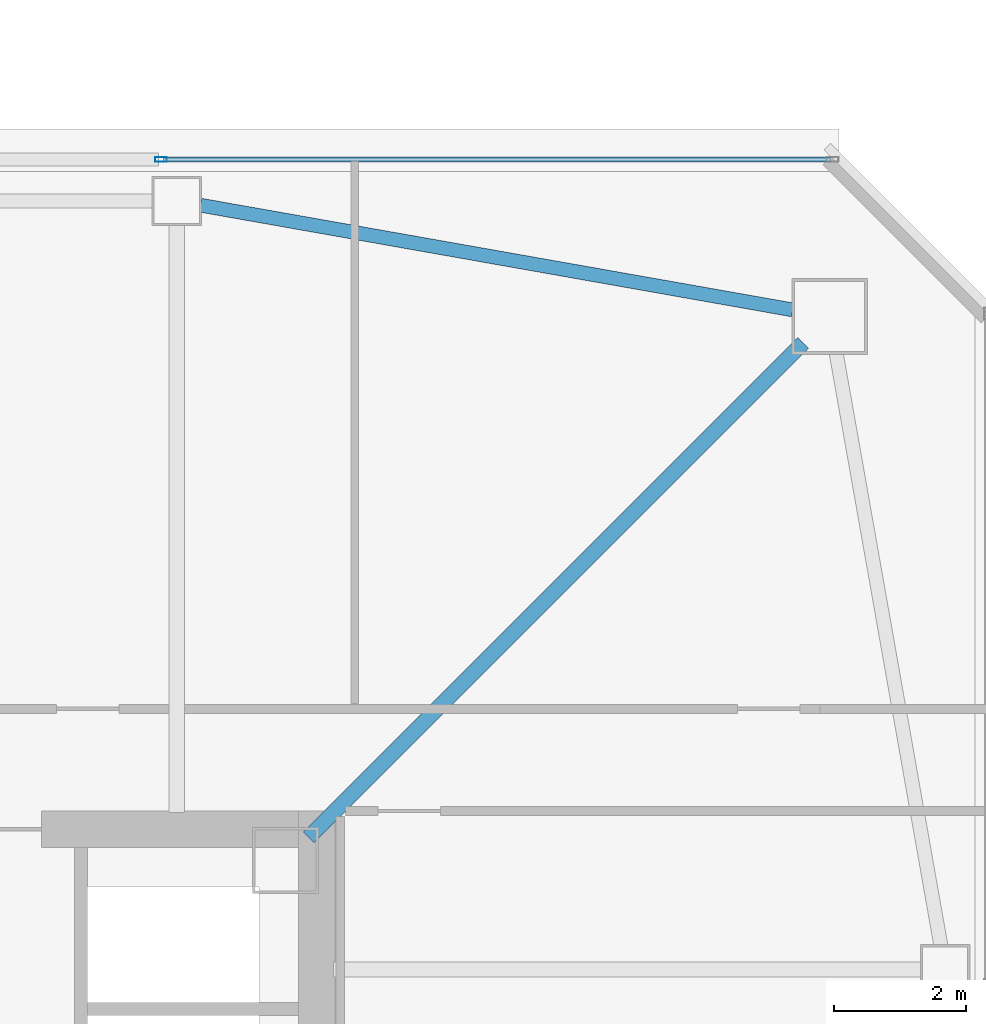
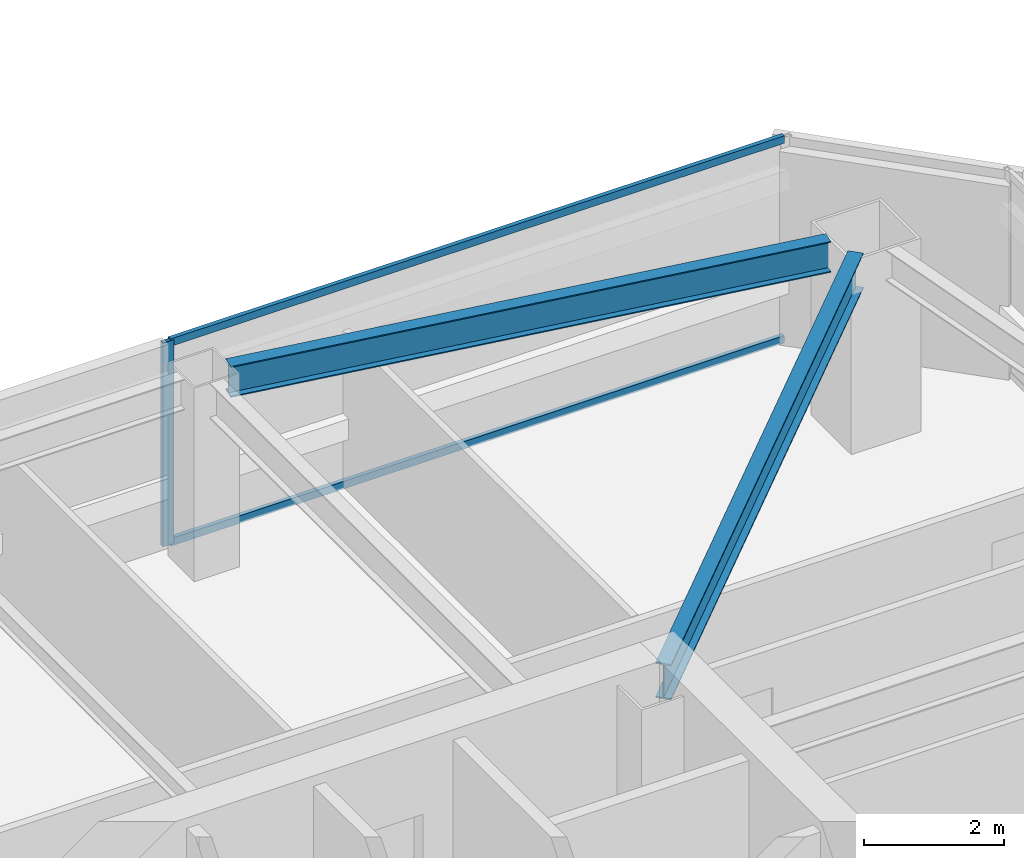
# One storey, part 14 of 43: 3 members, 2 beams, 1 element without a shape of its own.
"""IFC4 building model written with IfcOpenShell, lengths in metres."""

from ifc_helpers import new_model, si_unit, direction, frame, origin, origin_2d, place, context, subcontext, project, spatial, hollow_rectangle, i_section, extrude, material, material_profile, profile_set, type_object, element, aggregate, save


model = new_model("IFC4")

# Units and contexts
model_context = context("Model", 3, precision=1e-05, world=origin(), true_north=direction((0.0, 1.0)))
body_context = subcontext(model_context, "Body", "Model", "MODEL_VIEW")
ifc_project = project(units=[si_unit("LENGTHUNIT", "METRE"), si_unit("AREAUNIT", "SQUARE_METRE"), si_unit("VOLUMEUNIT", "CUBIC_METRE"), si_unit("PLANEANGLEUNIT", "RADIAN"), si_unit("MASSUNIT", "GRAM", prefix="KILO")], contexts=[model_context])

# Site, building, storey
site_placement = place(None, origin())
site = spatial("IfcSite", under=ifc_project, at=site_placement, CompositionType="ELEMENT")
building_placement = place(site_placement, origin())
building = spatial("IfcBuilding", under=site, at=building_placement, Name="Tashvorn Skyway Center", CompositionType="ELEMENT")
storey_placement = place(building_placement, frame((0.0, 0.0, 188.949951171875)))
storey = spatial("IfcBuildingStorey", under=building, at=storey_placement, Name="L51", CompositionType="ELEMENT", Elevation=188.949951171875)

# Beams
ifc_material_1 = material(Name="Steel ASTM A992 Grade 50", Category="steel")
ifc_material_profile_1 = material_profile(ifc_material_1, i_section(OverallWidth=0.22998046875, OverallDepth=0.616943359375, WebThickness=0.01318359375, FlangeThickness=0.022216796875, at=origin_2d()), Name="W24X94")
ifc_profile_set_1 = profile_set([ifc_material_profile_1], Name="Steel ASTM A992 Grade 50")
beam_type_1 = type_object("IfcBeamType", Name="BM-BEAM-W24X94", PredefinedType="BEAM", material=ifc_profile_set_1)
beam_1_placement = place(storey_placement, frame((56.89697265625, 46.89697265625, 3.0615234375), z_axis=(-0.707106781187, -0.707106781187, 0.0), x_axis=(0.707106781187, -0.707106781187, 0.0)))
element("IfcBeam", 1, at=beam_1_placement, inside=storey, type_object=beam_type_1, Name="Tower 1 L51 Primary Floor Girder MC-NE", PredefinedType="BEAM", context=body_context, shape_type="SweptSolid", body=[
    extrude(i_section(OverallWidth=0.22998046875, OverallDepth=0.616943359375, WebThickness=0.01318359375, FlangeThickness=0.022216796875, at=origin_2d()), origin(), (0.0, 0.0, 1.0), 10.6025390625),
])
ifc_material_profile_2 = material_profile(ifc_material_1, i_section(OverallWidth=0.2109375, OverallDepth=0.5390625, WebThickness=0.01171875, FlangeThickness=0.018798828125, at=origin_2d()), Name="W21X73")
ifc_profile_set_2 = profile_set([ifc_material_profile_2], Name="Steel ASTM A992 Grade 50")
beam_type_2 = type_object("IfcBeamType", Name="BM-SPANDREL-W21X73", PredefinedType="SPANDREL", material=ifc_profile_set_2)
beam_2_placement = place(storey_placement, frame((56.73876953125, 47.399169921875, 3.1005859375), z_axis=(-0.984732545667, 0.174074160933, 0.0), x_axis=(-0.174074160933, -0.984732545667, 0.0)))
element("IfcBeam", 2, at=beam_2_placement, inside=storey, type_object=beam_type_2, Name="Tower 1 L51 Spandrel Beam 07", PredefinedType="SPANDREL", context=body_context, shape_type="SweptSolid", body=[
    extrude(i_section(OverallWidth=0.2109375, OverallDepth=0.5390625, WebThickness=0.01171875, FlangeThickness=0.018798828125, at=origin_2d()), origin(), (0.0, 0.0, 1.0), 9.113525390625),
])

# Curtain wall, members
ifc_material_2 = material(Name="Thermally broken bronze-anodized aluminium 6063-T6", Category="aluminium")
curtain_wall_type = type_object("IfcCurtainWallType", Name="CW-CW-Z4", PredefinedType="NOTDEFINED", material=ifc_material_2)
curtain_wall_placement = place(storey_placement, origin())
curtain_wall = element("IfcCurtainWall", 3, at=curtain_wall_placement, inside=storey, type_object=curtain_wall_type, Name="Tower 1 L51 North Unitised Curtain Wall Glazing Group 3", PredefinedType="NOTDEFINED")
ifc_material_profile_3 = material_profile(ifc_material_2, hollow_rectangle(XDim=0.070068359375, YDim=0.179931640625, WallThickness=0.00390625, at=origin_2d()), Name="ALU-MULL-70x180")
ifc_profile_set_3 = profile_set([ifc_material_profile_3], Name="Thermally broken bronze-anodized aluminium 6063-T6")
member_type_1 = type_object("IfcMemberType", Name="CWM-CW-Z4", PredefinedType="MULLION", material=ifc_profile_set_3)
member_1_placement = place(storey_placement, frame((47.16162109375, 49.679931640625, 0.0), z_axis=(0.0, 0.0, 1.0), x_axis=(0.0, 1.0, 0.0)))
member_1 = element("IfcMember", 4, at=member_1_placement, type_object=member_type_1, Name="CW-Z4 mullion 1", PredefinedType="MULLION", context=body_context, shape_type="SweptSolid", body=[
    extrude(hollow_rectangle(XDim=0.070068359375, YDim=0.179931640625, WallThickness=0.00390625, at=origin_2d()), origin(), (0.0, 0.0, 1.0), 3.550048828125),
])
ifc_material_profile_4 = material_profile(ifc_material_2, hollow_rectangle(XDim=0.070068359375, YDim=0.1298828125, WallThickness=0.00390625, at=origin_2d()), Name="ALU-TRAN-70x130")
ifc_profile_set_4 = profile_set([ifc_material_profile_4], Name="Thermally broken bronze-anodized aluminium 6063-T6")
member_type_2 = type_object("IfcMemberType", Name="CWT-CW-Z4", PredefinedType="USERDEFINED", material=ifc_profile_set_4)
member_2_placement = place(storey_placement, frame((47.19677734375, 49.679931640625, 0.03515625), z_axis=(1.0, 0.0, 0.0), x_axis=(0.0, 1.0, 0.0)))
member_2 = element("IfcMember", 5, at=member_2_placement, type_object=member_type_2, Name="CW-Z4 transom 1.1", ObjectType="TRANSOM", PredefinedType="USERDEFINED", context=body_context, shape_type="SweptSolid", body=[
    extrude(hollow_rectangle(XDim=0.070068359375, YDim=0.1298828125, WallThickness=0.00390625, at=origin_2d()), origin(), (0.0, 0.0, 1.0), 10.11328125),
])
member_3_placement = place(storey_placement, frame((47.19677734375, 49.679931640625, 3.51513671875), z_axis=(1.0, 0.0, 0.0), x_axis=(0.0, 1.0, 0.0)))
member_3 = element("IfcMember", 6, at=member_3_placement, type_object=member_type_2, Name="CW-Z4 transom 1.2", ObjectType="TRANSOM", PredefinedType="USERDEFINED", context=body_context, shape_type="SweptSolid", body=[
    extrude(hollow_rectangle(XDim=0.070068359375, YDim=0.1298828125, WallThickness=0.00390625, at=origin_2d()), origin(), (0.0, 0.0, 1.0), 10.11328125),
])
aggregate(curtain_wall, [member_1, member_2, member_3])

save(model, "model.ifc")
